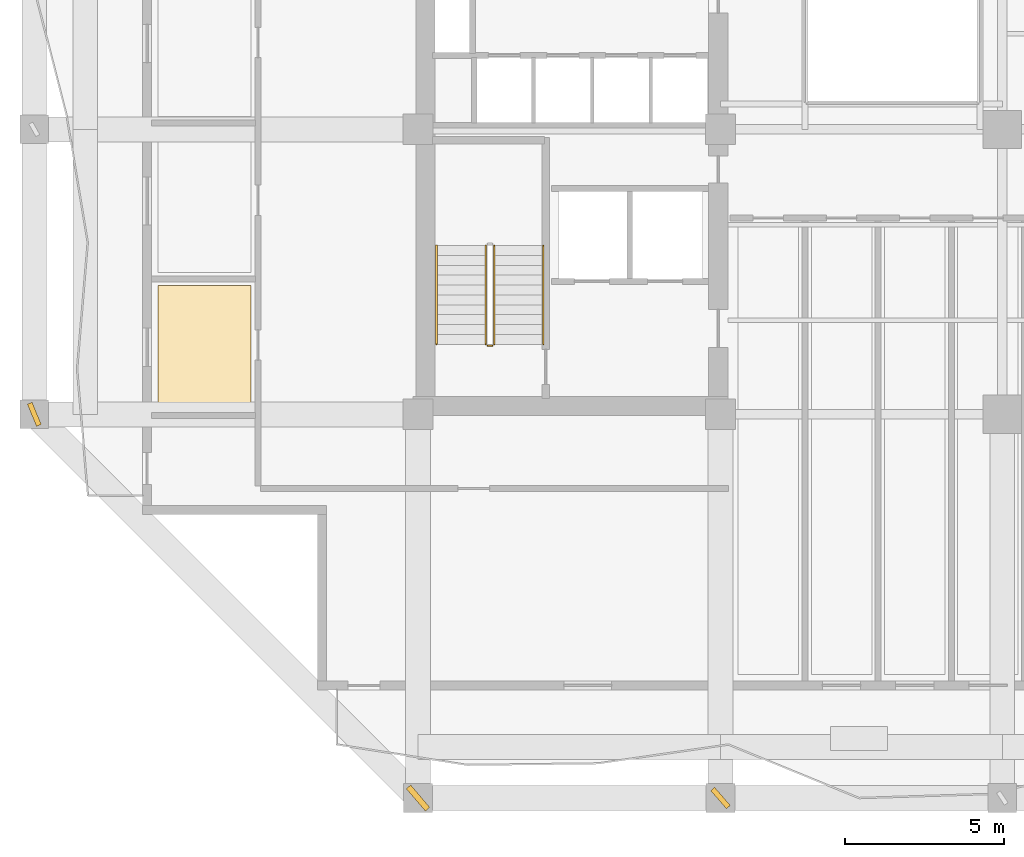
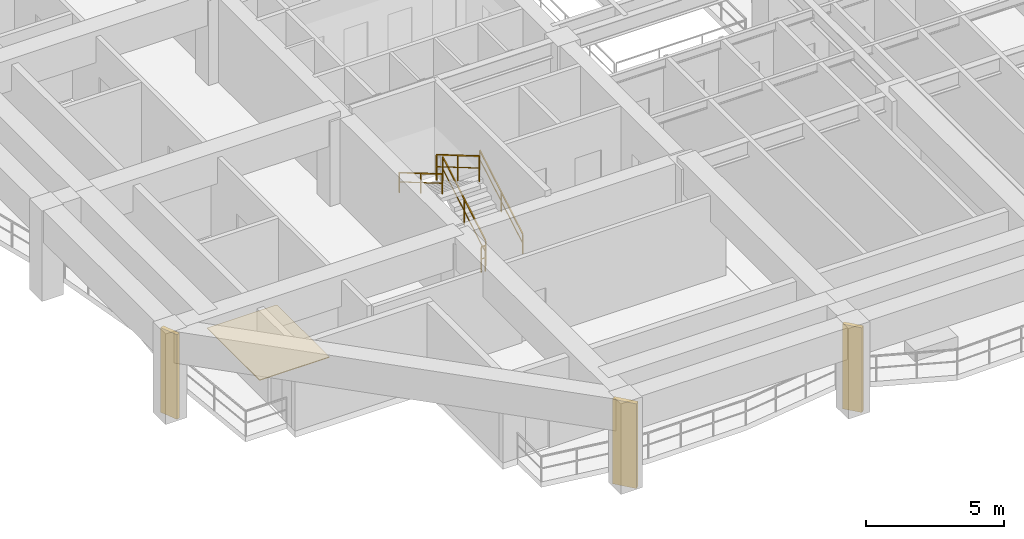
# One storey, part 7 of 13: 5 railings, 3 shading devices, 1 covering.
"""IFC4 building model written with IfcOpenShell, lengths in metres."""

from ifc_helpers import new_model, si_unit, direction, frame, origin, origin_2d, place, context, subcontext, project, spatial, polyline, rectangle, outline, extrude, material, layer, layer_set, type_object, element, save


model = new_model("IFC4")

# Units and contexts
model_context = context("Model", 3, precision=1e-05, world=origin(), true_north=direction((0.0, 1.0)))
body_context = subcontext(model_context, "Body", "Model", "MODEL_VIEW")
ifc_project = project(units=[si_unit("LENGTHUNIT", "METRE"), si_unit("AREAUNIT", "SQUARE_METRE"), si_unit("VOLUMEUNIT", "CUBIC_METRE"), si_unit("PLANEANGLEUNIT", "RADIAN"), si_unit("MASSUNIT", "GRAM", prefix="KILO")], contexts=[model_context])

# Site, building, storey
site_placement = place(None, origin())
site = spatial("IfcSite", under=ifc_project, at=site_placement, CompositionType="ELEMENT")
building_placement = place(site_placement, origin())
building = spatial("IfcBuilding", under=site, at=building_placement, Name="Kundavana Baori Tower", CompositionType="ELEMENT")
storey_placement = place(building_placement, frame((0.0, 0.0, 78.0)))
storey = spatial("IfcBuildingStorey", under=building, at=storey_placement, Name="L18", CompositionType="ELEMENT", Elevation=78.0)

# Covering
ifc_material_1 = material(Name="Honed Kota Stone and Terrazzo Flooring", Category="masonry")
ifc_layer = layer(ifc_material_1, 0.030029296875, Name="COV-INT-FLR")
ifc_layer_set = layer_set([ifc_layer], Name="Honed Kota Stone and Terrazzo Flooring")
covering_type = type_object("IfcCoveringType", Name="COV-INT-FLR", PredefinedType="FLOORING", material=ifc_layer_set)
covering_placement = place(storey_placement, origin())
element("IfcCovering", 1, at=covering_placement, inside=storey, type_object=covering_type, Name="L18 Room Finished Stone Flooring 1", PredefinedType="FLOORING", context=body_context, shape_type="SweptSolid", body=[
    extrude(outline(polyline([(7.280029296875, 15.5), (10.199951171875, 15.5), (10.199951171875, 19.300048828125), (7.280029296875, 19.300048828125), (7.280029296875, 15.5)])), origin(), (0.0, 0.0, 1.0), 0.030029296875),
])

# Railings
ifc_material_2 = material(Name="Architectural Patinated Bronze Metalwork")
railing_type_1 = type_object("IfcRailingType", Name="RL-GRD-1150", PredefinedType="GUARDRAIL", material=ifc_material_2)
railing_1_placement = place(storey_placement, frame((17.840087890625, 17.449951171875, 0.181884765625)))
element("IfcRailing", 2, at=railing_1_placement, inside=storey, type_object=railing_type_1, Name="L18 ST1 stair guard 1", PredefinedType="GUARDRAIL", context=body_context, shape_type="SweptSolid", body=[
    extrude(rectangle(XDim=0.048095703125, YDim=0.048095703125, at=origin_2d()), frame((0.0, 0.0, 1.1259765625), z_axis=(0.0, 0.862598821094, 0.505888598258), x_axis=(-1.0, 0.0, 0.0)), (0.0, 0.0, 1.0), 3.593994140625),
    extrude(rectangle(XDim=0.03125, YDim=0.03125, at=origin_2d()), frame((0.0, 0.0, 0.597900390625), z_axis=(0.0, 0.862598821094, 0.505888598258), x_axis=(-1.0, 0.0, 0.0)), (0.0, 0.0, 1.0), 3.593994140625),
    extrude(rectangle(XDim=0.0419921875, YDim=0.0419921875, at=origin_2d()), origin(), (0.0, 0.0, 1.0), 1.101806640625),
    extrude(rectangle(XDim=0.0419921875, YDim=0.0419921875, at=origin_2d()), frame((0.0, 1.550048828125, 0.9091796875)), (0.0, 0.0, 1.0), 1.101806640625),
    extrude(rectangle(XDim=0.0419921875, YDim=0.0419921875, at=origin_2d()), frame((0.0, 3.10009765625, 1.818115234375)), (0.0, 0.0, 1.0), 1.101806640625),
])
railing_2_placement = place(storey_placement, frame((17.580078125, 20.550048828125, 2.181884765625)))
element("IfcRailing", 3, at=railing_2_placement, inside=storey, type_object=railing_type_1, Name="L18 ST1 stair guard 3", PredefinedType="GUARDRAIL", context=body_context, shape_type="SweptSolid", body=[
    extrude(rectangle(XDim=0.048095703125, YDim=0.048095703125, at=origin_2d()), frame((0.0, 0.0, 1.1259765625), z_axis=(0.0, -0.862598821094, 0.505888598258), x_axis=(1.0, 0.0, 0.0)), (0.0, 0.0, 1.0), 3.593994140625),
    extrude(rectangle(XDim=0.03125, YDim=0.03125, at=origin_2d()), frame((0.0, 0.0, 0.597900390625), z_axis=(0.0, -0.862598821094, 0.505888598258), x_axis=(1.0, 0.0, 0.0)), (0.0, 0.0, 1.0), 3.593994140625),
    extrude(rectangle(XDim=0.0419921875, YDim=0.0419921875, at=origin_2d()), origin(), (0.0, 0.0, 1.0), 1.101806640625),
    extrude(rectangle(XDim=0.0419921875, YDim=0.0419921875, at=origin_2d()), frame((0.0, -1.550048828125, 0.9091796875)), (0.0, 0.0, 1.0), 1.101806640625),
    extrude(rectangle(XDim=0.0419921875, YDim=0.0419921875, at=origin_2d()), frame((0.0, -3.10009765625, 1.818115234375)), (0.0, 0.0, 1.0), 1.101806640625),
])
railing_3_placement = place(storey_placement, frame((17.7900390625, 17.39990234375, 0.0)))
element("IfcRailing", 4, at=railing_3_placement, inside=storey, type_object=railing_type_1, Name="L18 ST1 stair guard 4", PredefinedType="GUARDRAIL", context=body_context, shape_type="SweptSolid", body=[
    extrude(rectangle(XDim=0.048095703125, YDim=0.048095703125, at=origin_2d()), frame((0.0, 0.0, 1.1259765625), z_axis=(-1.0, 0.0, 0.0), x_axis=(0.0, -1.0, 0.0)), (0.0, 0.0, 1.0), 0.16015625),
    extrude(rectangle(XDim=0.03125, YDim=0.03125, at=origin_2d()), frame((0.0, 0.0, 0.597900390625), z_axis=(-1.0, 0.0, 0.0), x_axis=(0.0, -1.0, 0.0)), (0.0, 0.0, 1.0), 0.16015625),
    extrude(rectangle(XDim=0.0419921875, YDim=0.0419921875, at=origin_2d()), origin(), (0.0, 0.0, 1.0), 1.101806640625),
    extrude(rectangle(XDim=0.0419921875, YDim=0.0419921875, at=origin_2d()), frame((-0.16015625, 0.0, 0.0)), (0.0, 0.0, 1.0), 1.101806640625),
])
ifc_material_3 = material(Name="Architectural Patinated Bronze Metalwork")
railing_type_2 = type_object("IfcRailingType", Name="RL-HND-920", PredefinedType="HANDRAIL", material=ifc_material_3)
railing_4_placement = place(storey_placement, frame((19.389892578125, 17.449951171875, 0.181884765625)))
element("IfcRailing", 5, at=railing_4_placement, inside=storey, type_object=railing_type_2, Name="L18 ST1 stair handrail 1", PredefinedType="HANDRAIL", context=body_context, shape_type="SweptSolid", body=[
    extrude(rectangle(XDim=0.048095703125, YDim=0.048095703125, at=origin_2d()), frame((0.0, 0.0, 0.8759765625), z_axis=(0.0, 0.862598821094, 0.505888598258), x_axis=(-1.0, 0.0, 0.0)), (0.0, 0.0, 1.0), 3.593994140625),
    extrude(rectangle(XDim=0.03125, YDim=0.03125, at=origin_2d()), frame((0.0, 0.0, 0.468017578125), z_axis=(0.0, 0.862598821094, 0.505888598258), x_axis=(-1.0, 0.0, 0.0)), (0.0, 0.0, 1.0), 3.593994140625),
    extrude(rectangle(XDim=0.0419921875, YDim=0.0419921875, at=origin_2d()), origin(), (0.0, 0.0, 1.0), 0.851806640625),
    extrude(rectangle(XDim=0.0419921875, YDim=0.0419921875, at=origin_2d()), frame((0.0, 1.550048828125, 0.9091796875)), (0.0, 0.0, 1.0), 0.851806640625),
    extrude(rectangle(XDim=0.0419921875, YDim=0.0419921875, at=origin_2d()), frame((0.0, 3.10009765625, 1.818115234375)), (0.0, 0.0, 1.0), 0.851806640625),
])
railing_5_placement = place(storey_placement, frame((16.030029296875, 20.550048828125, 2.181884765625)))
element("IfcRailing", 6, at=railing_5_placement, inside=storey, type_object=railing_type_2, Name="L18 ST1 stair handrail 2", PredefinedType="HANDRAIL", context=body_context, shape_type="SweptSolid", body=[
    extrude(rectangle(XDim=0.048095703125, YDim=0.048095703125, at=origin_2d()), frame((0.0, 0.0, 0.8759765625), z_axis=(0.0, -0.862598821094, 0.505888598258), x_axis=(1.0, 0.0, 0.0)), (0.0, 0.0, 1.0), 3.593994140625),
    extrude(rectangle(XDim=0.03125, YDim=0.03125, at=origin_2d()), frame((0.0, 0.0, 0.468017578125), z_axis=(0.0, -0.862598821094, 0.505888598258), x_axis=(1.0, 0.0, 0.0)), (0.0, 0.0, 1.0), 3.593994140625),
    extrude(rectangle(XDim=0.0419921875, YDim=0.0419921875, at=origin_2d()), origin(), (0.0, 0.0, 1.0), 0.851806640625),
    extrude(rectangle(XDim=0.0419921875, YDim=0.0419921875, at=origin_2d()), frame((0.0, -1.550048828125, 0.9091796875)), (0.0, 0.0, 1.0), 0.851806640625),
    extrude(rectangle(XDim=0.0419921875, YDim=0.0419921875, at=origin_2d()), frame((0.0, -3.10009765625, 1.818115234375)), (0.0, 0.0, 1.0), 0.851806640625),
])

# Shading devices
ifc_material_4 = material(Name="Red-Buff Dholpur Sandstone Cladding on Concrete C40/50", Category="masonry")
shading_device_type_1 = type_object("IfcShadingDeviceType", Name="SHD-FIN-750", PredefinedType="JALOUSIE", material=ifc_material_4)
for number, where, z_axis, x_axis, name in (
    (7, (24.949951171875, 3.199951171875, 0.0), (0.0, 0.0, 1.0), (0.754480526445, 0.656322432357, 0.0), "L18 Sweeping Dholpur Sandstone Facade Fin 2"),
    (8, (3.39990234375, 15.25, 0.0), (0.0, 0.0, 1.0), (0.924146470781, 0.38203834957, 0.0), "L18 Sweeping Dholpur Sandstone Facade Fin 5"),
):
    element("IfcShadingDevice", number, at=place(storey_placement, frame(where, z_axis=z_axis, x_axis=x_axis)), inside=storey, type_object=shading_device_type_1, Name=name, PredefinedType="JALOUSIE", context=body_context, shape_type="SweptSolid", body=[
        extrude(rectangle(XDim=0.159912109375, YDim=0.75, at=origin_2d()), origin(), (0.0, 0.0, 1.0), 3.739990234375),
    ])
ifc_material_5 = material(Name="Red-Buff Dholpur Sandstone Cladding on Concrete C40/50", Category="masonry")
shading_device_type_2 = type_object("IfcShadingDeviceType", Name="SHD-FIN-920", PredefinedType="JALOUSIE", material=ifc_material_5)
shading_device_placement = place(storey_placement, frame((15.449951171875, 3.199951171875, 0.0), z_axis=(0.0, 0.0, 1.0), x_axis=(0.7604059656, 0.64944804833, 0.0)))
element("IfcShadingDevice", 9, at=shading_device_placement, inside=storey, type_object=shading_device_type_2, Name="L18 Sweeping Dholpur Sandstone Facade Fin 1", PredefinedType="JALOUSIE", context=body_context, shape_type="SweptSolid", body=[
    extrude(rectangle(XDim=0.179931640625, YDim=0.919921875, at=origin_2d()), origin(), (0.0, 0.0, 1.0), 3.739990234375),
])

save(model, "model.ifc")
